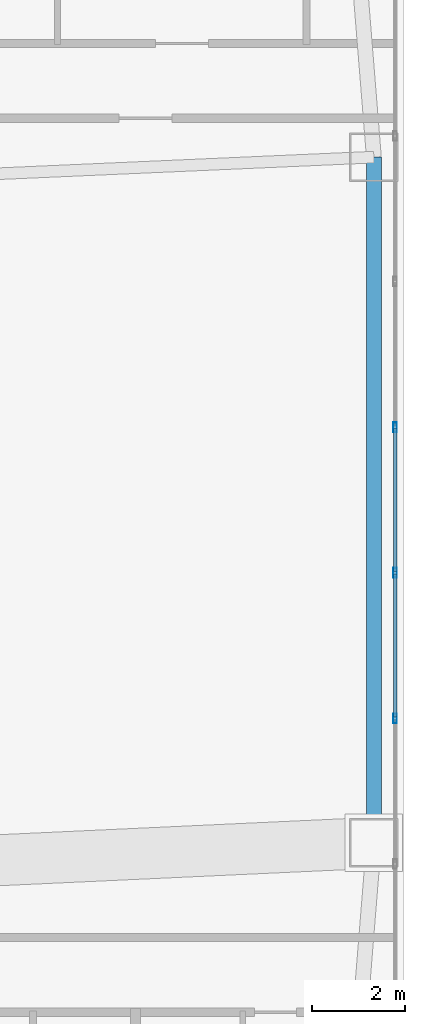
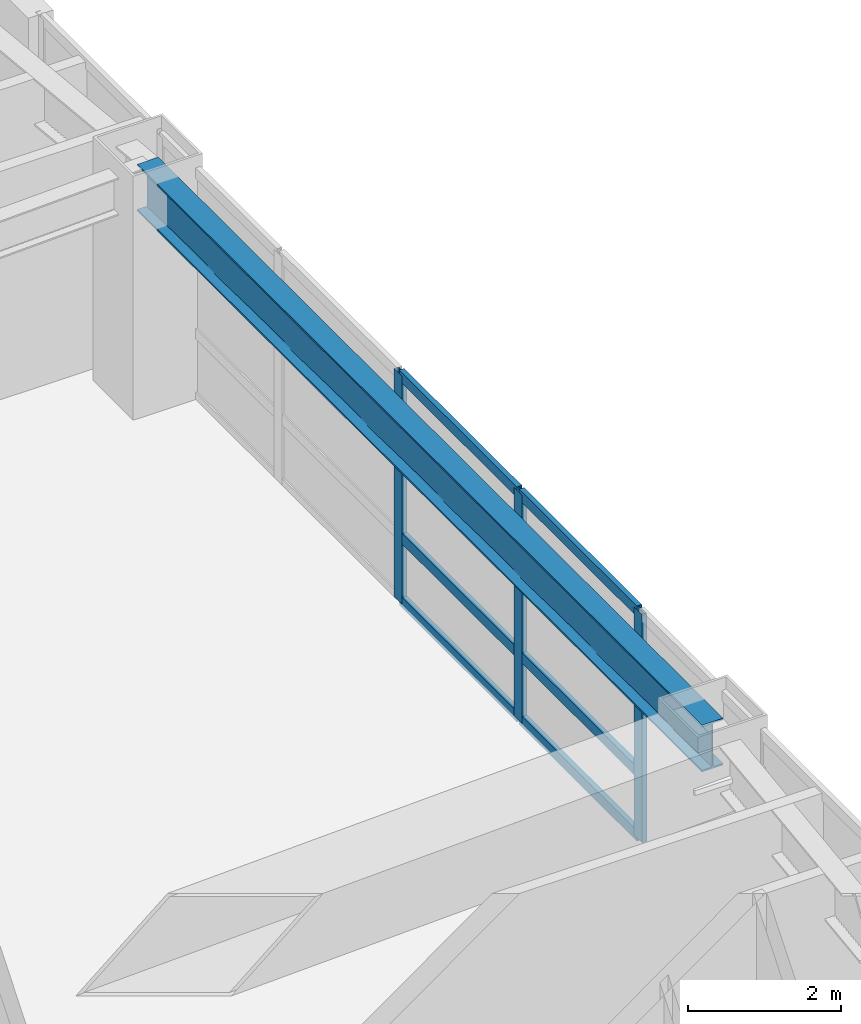
# One storey, part 4 of 16: 9 members, 1 beam, 1 element without a shape of its own.
"""IFC4 building model written with IfcOpenShell, lengths in metres."""

from ifc_helpers import new_model, si_unit, direction, frame, origin, origin_2d, place, context, subcontext, project, spatial, hollow_rectangle, i_section, extrude, material, layer, layer_set, material_profile, profile_set, type_object, element, aggregate, save


model = new_model("IFC4")

# Units and contexts
model_context = context("Model", 3, precision=1e-05, world=origin(), true_north=direction((0.0, 1.0)))
body_context = subcontext(model_context, "Body", "Model", "MODEL_VIEW")
ifc_project = project(units=[si_unit("LENGTHUNIT", "METRE"), si_unit("AREAUNIT", "SQUARE_METRE"), si_unit("VOLUMEUNIT", "CUBIC_METRE"), si_unit("PLANEANGLEUNIT", "RADIAN"), si_unit("MASSUNIT", "GRAM", prefix="KILO")], contexts=[model_context])

# Site, building, storey
site_placement = place(None, origin())
site = spatial("IfcSite", under=ifc_project, at=site_placement, CompositionType="ELEMENT")
building_placement = place(site_placement, origin())
building = spatial("IfcBuilding", under=site, at=building_placement, Name="Voryun Gate Residences", CompositionType="ELEMENT")
storey_placement = place(building_placement, frame((0.0, 0.0, 93.60009765625)))
storey = spatial("IfcBuildingStorey", under=building, at=storey_placement, Name="L22", CompositionType="ELEMENT", Elevation=93.60009765625)

# Beam
ifc_material_1 = material(Name="Steel SM355", Category="steel")
ifc_material_profile_1 = material_profile(ifc_material_1, i_section(OverallWidth=0.320068359375, OverallDepth=0.75, WebThickness=0.01611328125, FlangeThickness=0.028076171875, FilletRadius=0.01806640625, at=origin_2d()), Name="H-750x320x16x28")
ifc_profile_set_1 = profile_set([ifc_material_profile_1], Name="Steel SM355")
beam_type = type_object("IfcBeamType", Name="BM_EXO_SPANDREL_L", PredefinedType="SPANDREL", material=ifc_profile_set_1)
beam_placement = place(storey_placement, frame((32.75, -6.798095703125, 3.27490234375), z_axis=(0.0, 1.0, 0.0), x_axis=(-1.0, 0.0, 0.0)))
element("IfcBeam", 1, at=beam_placement, inside=storey, type_object=beam_type, Name="BM-L22-SPAND-08", PredefinedType="SPANDREL", context=body_context, shape_type="SweptSolid", body=[
    extrude(i_section(OverallWidth=0.320068359375, OverallDepth=0.75, WebThickness=0.01611328125, FlangeThickness=0.028076171875, FilletRadius=0.01806640625, at=origin_2d()), origin(), (0.0, 0.0, 1.0), 14.796142578125),
])

# Curtain wall, members
ifc_material_2 = material(Name="Anodised aluminium", Category="aluminium")
ifc_layer = layer(ifc_material_2, 0.2099609375, Name="CW_SYS_SKYGARDEN_DARK_GLASS")
ifc_layer_set = layer_set([ifc_layer], Name="Anodised aluminium")
curtain_wall_type = type_object("IfcCurtainWallType", Name="CW_SYS_SKYGARDEN_DARK_GLASS", PredefinedType="NOTDEFINED", material=ifc_layer_set)
curtain_wall_placement = place(storey_placement, origin())
curtain_wall = element("IfcCurtainWall", 2, at=curtain_wall_placement, inside=storey, type_object=curtain_wall_type, Name="Curtain wall CW5-L22-SG-16", PredefinedType="NOTDEFINED")
ifc_material_3 = material(Name="Anodised aluminium", Category="aluminium")
ifc_material_profile_2 = material_profile(ifc_material_3, hollow_rectangle(XDim=0.074951171875, YDim=0.2099609375, WallThickness=0.0048828125, at=origin_2d()), Name="ALU-MULL-210x75x5")
ifc_profile_set_2 = profile_set([ifc_material_profile_2], Name="Anodised aluminium")
member_type_1 = type_object("IfcMemberType", Name="CW_MULL_SKY", PredefinedType="MULLION", material=ifc_profile_set_2)
member_1_placement = place(storey_placement, frame((33.2099609375, 2.1708984375, 0.0), z_axis=(0.0, 0.0, 1.0), x_axis=(1.0, 0.0, 0.0)))
member_1 = element("IfcMember", 3, at=member_1_placement, type_object=member_type_1, Name="CW5 mullion 4", PredefinedType="MULLION", context=body_context, shape_type="SweptSolid", body=[
    extrude(hollow_rectangle(XDim=0.074951171875, YDim=0.2099609375, WallThickness=0.0048828125, at=origin_2d()), origin(), (0.0, 0.0, 1.0), 3.64990234375),
])
member_2_placement = place(storey_placement, frame((33.2099609375, -0.970947265625, 0.0), z_axis=(0.0, 0.0, 1.0), x_axis=(1.0, 0.0, 0.0)))
member_2 = element("IfcMember", 4, at=member_2_placement, type_object=member_type_1, Name="CW5 mullion 5", PredefinedType="MULLION", context=body_context, shape_type="SweptSolid", body=[
    extrude(hollow_rectangle(XDim=0.074951171875, YDim=0.2099609375, WallThickness=0.0048828125, at=origin_2d()), origin(), (0.0, 0.0, 1.0), 3.64990234375),
])
member_3_placement = place(storey_placement, frame((33.2099609375, -4.112548828125, 0.0), z_axis=(0.0, 0.0, 1.0), x_axis=(1.0, 0.0, 0.0)))
member_3 = element("IfcMember", 5, at=member_3_placement, type_object=member_type_1, Name="CW5 mullion 6", PredefinedType="MULLION", context=body_context, shape_type="SweptSolid", body=[
    extrude(hollow_rectangle(XDim=0.074951171875, YDim=0.2099609375, WallThickness=0.0048828125, at=origin_2d()), origin(), (0.0, 0.0, 1.0), 3.64990234375),
])
ifc_material_4 = material(Name="Anodised aluminium", Category="aluminium")
ifc_material_profile_3 = material_profile(ifc_material_4, hollow_rectangle(XDim=0.074951171875, YDim=0.169921875, WallThickness=0.0048828125, at=origin_2d()), Name="ALU-TRAN-170x75x5")
ifc_profile_set_3 = profile_set([ifc_material_profile_3], Name="Anodised aluminium")
member_type_2 = type_object("IfcMemberType", Name="CW_TRAN_SKY", PredefinedType="USERDEFINED", material=ifc_profile_set_3)
member_4_placement = place(storey_placement, frame((33.2099609375, 2.140869140625, 0.02978515625), z_axis=(0.0, -1.0, 0.0), x_axis=(1.0, 0.0, 0.0)))
member_4 = element("IfcMember", 6, at=member_4_placement, type_object=member_type_2, Name="CW5 transom 4.1", ObjectType="TRANSOM", PredefinedType="USERDEFINED", context=body_context, shape_type="SweptSolid", body=[
    extrude(hollow_rectangle(XDim=0.074951171875, YDim=0.169921875, WallThickness=0.0048828125, at=origin_2d()), origin(), (0.0, 0.0, 1.0), 3.081787109375),
])
member_5_placement = place(storey_placement, frame((33.2099609375, 2.140869140625, 1.0498046875), z_axis=(0.0, -1.0, 0.0), x_axis=(1.0, 0.0, 0.0)))
member_5 = element("IfcMember", 7, at=member_5_placement, type_object=member_type_2, Name="CW5 transom 4.2", ObjectType="TRANSOM", PredefinedType="USERDEFINED", context=body_context, shape_type="SweptSolid", body=[
    extrude(hollow_rectangle(XDim=0.074951171875, YDim=0.169921875, WallThickness=0.0048828125, at=origin_2d()), origin(), (0.0, 0.0, 1.0), 3.081787109375),
])
member_6_placement = place(storey_placement, frame((33.2099609375, 2.140869140625, 3.619873046875), z_axis=(0.0, -1.0, 0.0), x_axis=(1.0, 0.0, 0.0)))
member_6 = element("IfcMember", 8, at=member_6_placement, type_object=member_type_2, Name="CW5 transom 4.3", ObjectType="TRANSOM", PredefinedType="USERDEFINED", context=body_context, shape_type="SweptSolid", body=[
    extrude(hollow_rectangle(XDim=0.074951171875, YDim=0.169921875, WallThickness=0.0048828125, at=origin_2d()), origin(), (0.0, 0.0, 1.0), 3.081787109375),
])
member_7_placement = place(storey_placement, frame((33.2099609375, -1.0009765625, 0.02978515625), z_axis=(0.0, -1.0, 0.0), x_axis=(1.0, 0.0, 0.0)))
member_7 = element("IfcMember", 9, at=member_7_placement, type_object=member_type_2, Name="CW5 transom 5.1", ObjectType="TRANSOM", PredefinedType="USERDEFINED", context=body_context, shape_type="SweptSolid", body=[
    extrude(hollow_rectangle(XDim=0.074951171875, YDim=0.169921875, WallThickness=0.0048828125, at=origin_2d()), origin(), (0.0, 0.0, 1.0), 3.08154296875),
])
member_8_placement = place(storey_placement, frame((33.2099609375, -1.0009765625, 1.0498046875), z_axis=(0.0, -1.0, 0.0), x_axis=(1.0, 0.0, 0.0)))
member_8 = element("IfcMember", 10, at=member_8_placement, type_object=member_type_2, Name="CW5 transom 5.2", ObjectType="TRANSOM", PredefinedType="USERDEFINED", context=body_context, shape_type="SweptSolid", body=[
    extrude(hollow_rectangle(XDim=0.074951171875, YDim=0.169921875, WallThickness=0.0048828125, at=origin_2d()), origin(), (0.0, 0.0, 1.0), 3.08154296875),
])
member_9_placement = place(storey_placement, frame((33.2099609375, -1.0009765625, 3.619873046875), z_axis=(0.0, -1.0, 0.0), x_axis=(1.0, 0.0, 0.0)))
member_9 = element("IfcMember", 11, at=member_9_placement, type_object=member_type_2, Name="CW5 transom 5.3", ObjectType="TRANSOM", PredefinedType="USERDEFINED", context=body_context, shape_type="SweptSolid", body=[
    extrude(hollow_rectangle(XDim=0.074951171875, YDim=0.169921875, WallThickness=0.0048828125, at=origin_2d()), origin(), (0.0, 0.0, 1.0), 3.08154296875),
])
aggregate(curtain_wall, [member_1, member_2, member_3, member_4, member_5, member_6, member_7, member_8, member_9])

save(model, "model.ifc")
